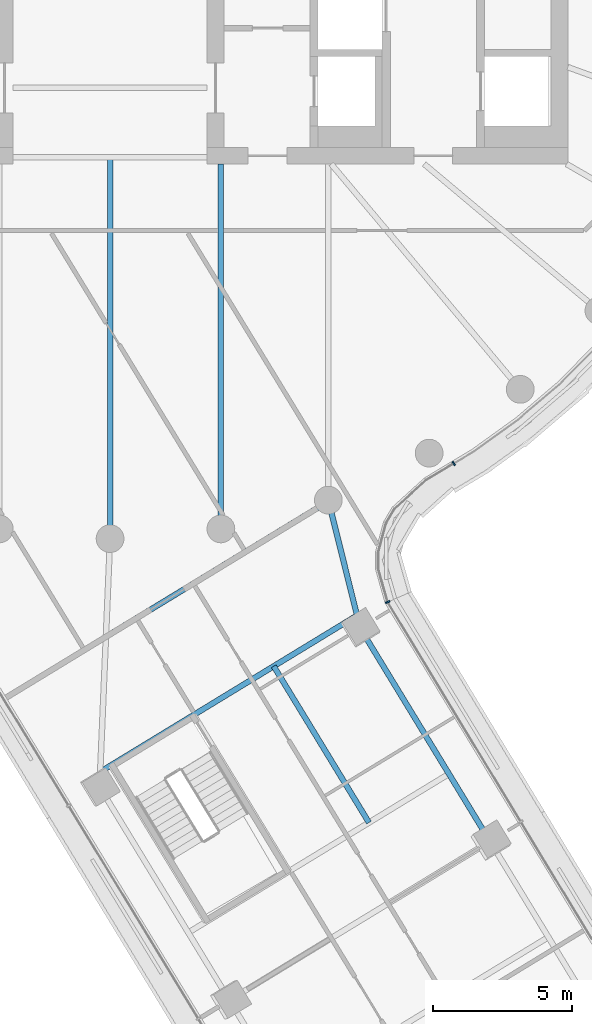
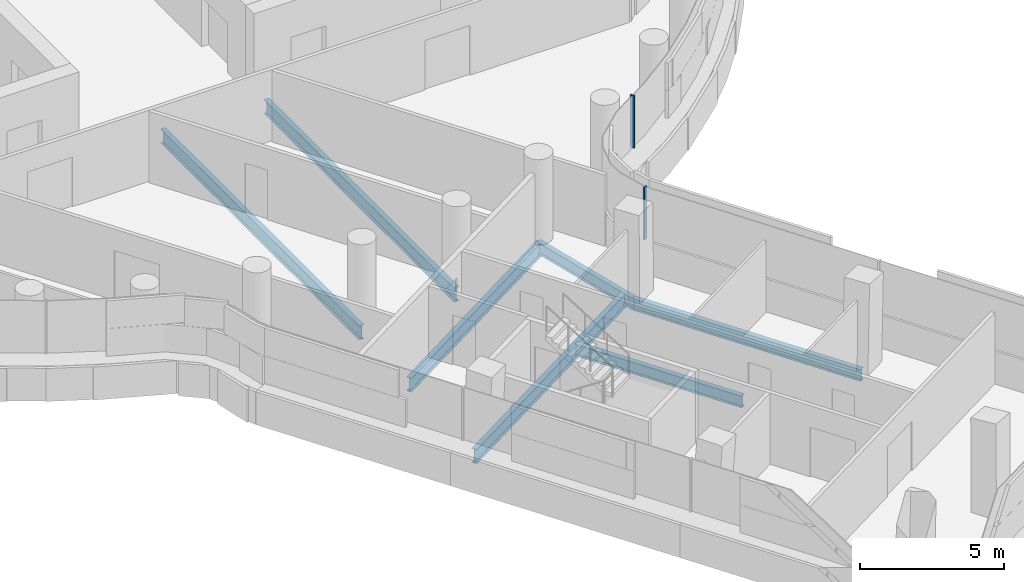
# One storey, part 6 of 35: 7 beams, 2 members, 1 element without a shape of its own.
"""IFC4 building model written with IfcOpenShell, lengths in metres."""

from ifc_helpers import new_model, si_unit, direction, frame, origin, origin_2d, place, context, subcontext, project, spatial, rectangle, i_section, extrude, material, layer, layer_set, material_profile, profile_set, type_object, element, aggregate, save


model = new_model("IFC4")

# Units and contexts
model_context = context("Model", 3, precision=1e-05, world=origin(), true_north=direction((0.0, 1.0)))
body_context = subcontext(model_context, "Body", "Model", "MODEL_VIEW")
ifc_project = project(units=[si_unit("LENGTHUNIT", "METRE"), si_unit("AREAUNIT", "SQUARE_METRE"), si_unit("VOLUMEUNIT", "CUBIC_METRE"), si_unit("PLANEANGLEUNIT", "RADIAN"), si_unit("MASSUNIT", "GRAM", prefix="KILO")], contexts=[model_context])

# Site, building, storey
site_placement = place(None, origin())
site = spatial("IfcSite", under=ifc_project, at=site_placement, CompositionType="ELEMENT")
building_placement = place(site_placement, origin())
building = spatial("IfcBuilding", under=site, at=building_placement, Name="Tamarind Cross Interchange Tower", CompositionType="ELEMENT")
storey_placement = place(building_placement, frame((0.0, 0.0, 148.0)))
storey = spatial("IfcBuildingStorey", under=building, at=storey_placement, Name="L36", CompositionType="ELEMENT", Elevation=148.0)

# Beams
ifc_material_1 = material(Name="Steel Q355B", Category="steel")
ifc_material_profile_1 = material_profile(ifc_material_1, i_section(OverallWidth=0.198974609375, OverallDepth=0.49609375, WebThickness=0.009033203125, FlangeThickness=0.013916015625, FilletRadius=0.012939453125, at=origin_2d()), Name="HN 496x199x9x14")
ifc_profile_set_1 = profile_set([ifc_material_profile_1], Name="Steel Q355B")
beam_type_1 = type_object("IfcBeamType", Name="Composite beam HN 496x199x9x14 Q355B", PredefinedType="BEAM", material=ifc_profile_set_1)
beam_1_placement = place(storey_placement, frame((13.6962890625, -33.914306640625, -0.387939453125), z_axis=(-0.520161215535, 0.854068094389, 0.0), x_axis=(-0.854068094389, -0.520161215535, 0.0)))
element("IfcBeam", 1, at=beam_1_placement, inside=storey, type_object=beam_type_1, Name="Beam S-edgeep3", PredefinedType="BEAM", context=body_context, shape_type="SweptSolid", body=[
    extrude(i_section(OverallWidth=0.198974609375, OverallDepth=0.49609375, WebThickness=0.009033203125, FlangeThickness=0.013916015625, FilletRadius=0.012939453125, at=origin_2d()), origin(), (0.0, 0.0, 1.0), 9.0),
])
beam_2_placement = place(storey_placement, frame((9.014892578125, -26.227783203125, -0.387939453125), z_axis=(-0.241496634913, 0.9704016567, 0.0), x_axis=(-0.9704016567, -0.241496634913, 0.0)))
element("IfcBeam", 2, at=beam_2_placement, inside=storey, type_object=beam_type_1, Name="Beam S-linkep", PredefinedType="BEAM", context=body_context, shape_type="SweptSolid", body=[
    extrude(i_section(OverallWidth=0.198974609375, OverallDepth=0.49609375, WebThickness=0.009033203125, FlangeThickness=0.013916015625, FilletRadius=0.012939453125, at=origin_2d()), origin(), (0.0, 0.0, 1.0), 4.755615234375),
])
beam_3_placement = place(storey_placement, frame((5.898193359375, -27.598876953125, -0.387939453125), z_axis=(0.520158158595, -0.854069956179, 0.0), x_axis=(0.854069956179, 0.520158158595, 0.0)))
element("IfcBeam", 3, at=beam_3_placement, inside=storey, type_object=beam_type_1, Name="Beam S-stripp", PredefinedType="BEAM", context=body_context, shape_type="SweptSolid", body=[
    extrude(i_section(OverallWidth=0.198974609375, OverallDepth=0.49609375, WebThickness=0.009033203125, FlangeThickness=0.013916015625, FilletRadius=0.012939453125, at=origin_2d()), origin(), (0.0, 0.0, 1.0), 6.60009765625),
])
ifc_material_profile_2 = material_profile(ifc_material_1, i_section(OverallWidth=0.198974609375, OverallDepth=0.595947265625, WebThickness=0.010009765625, FlangeThickness=0.014892578125, FilletRadius=0.012939453125, at=origin_2d()), Name="HN 596x199x10x15")
ifc_profile_set_2 = profile_set([ifc_material_profile_2], Name="Steel Q355B")
beam_type_2 = type_object("IfcBeamType", Name="Composite beam HN 596x199x10x15 Q355B", PredefinedType="BEAM", material=ifc_profile_set_2)
beam_4_placement = place(storey_placement, frame((0.0, -23.0, -0.43798828125), z_axis=(0.0, 1.0, 0.0), x_axis=(-1.0, 0.0, 0.0)))
element("IfcBeam", 4, at=beam_4_placement, inside=storey, type_object=beam_type_2, Name="Beam HH27", PredefinedType="BEAM", context=body_context, shape_type="SweptSolid", body=[
    extrude(i_section(OverallWidth=0.198974609375, OverallDepth=0.595947265625, WebThickness=0.010009765625, FlangeThickness=0.014892578125, FilletRadius=0.012939453125, at=origin_2d()), origin(), (0.0, 0.0, 1.0), 13.75),
])
beam_5_placement = place(storey_placement, frame((3.993896484375, -22.650634765625, -0.43798828125), z_axis=(0.0, 1.0, 0.0), x_axis=(-1.0, 0.0, 0.0)))
element("IfcBeam", 5, at=beam_5_placement, inside=storey, type_object=beam_type_2, Name="Beam HH28", PredefinedType="BEAM", context=body_context, shape_type="SweptSolid", body=[
    extrude(i_section(OverallWidth=0.198974609375, OverallDepth=0.595947265625, WebThickness=0.010009765625, FlangeThickness=0.014892578125, FilletRadius=0.012939453125, at=origin_2d()), origin(), (0.0, 0.0, 1.0), 13.150634765625),
])
ifc_material_profile_3 = material_profile(ifc_material_1, i_section(OverallWidth=0.199951171875, OverallDepth=0.60009765625, WebThickness=0.010986328125, FlangeThickness=0.01708984375, FilletRadius=0.012939453125, at=origin_2d()), Name="HN 600x200x11x17")
ifc_profile_set_3 = profile_set([ifc_material_profile_3], Name="Steel Q355B")
beam_type_3 = type_object("IfcBeamType", Name="Composite beam HN 600x200x11x17 Q355B", PredefinedType="BEAM", material=ifc_profile_set_3)
beam_6_placement = place(storey_placement, frame((-0.35693359375, -31.40869140625, -0.43994140625), z_axis=(0.854065876088, 0.520164857812, 0.0), x_axis=(-0.520164857812, 0.854065876088, 0.0)))
element("IfcBeam", 6, at=beam_6_placement, inside=storey, type_object=beam_type_3, Name="Beam S-x298", PredefinedType="BEAM", context=body_context, shape_type="SweptSolid", body=[
    extrude(i_section(OverallWidth=0.199951171875, OverallDepth=0.60009765625, WebThickness=0.010986328125, FlangeThickness=0.01708984375, FilletRadius=0.012939453125, at=origin_2d()), origin(), (0.0, 0.0, 1.0), 10.839599609375),
])
beam_7_placement = place(storey_placement, frame((-0.150390625, -26.540771484375, -0.43994140625), z_axis=(0.854061078112, 0.520172735593, 0.0), x_axis=(-0.520172735593, 0.854061078112, 0.0)))
element("IfcBeam", 7, at=beam_7_placement, inside=storey, type_object=beam_type_3, Name="Beam S-x258", PredefinedType="BEAM", context=body_context, shape_type="SweptSolid", body=[
    extrude(i_section(OverallWidth=0.199951171875, OverallDepth=0.60009765625, WebThickness=0.010986328125, FlangeThickness=0.01708984375, FilletRadius=0.012939453125, at=origin_2d()), origin(), (0.0, 0.0, 1.0), 9.398193359375),
])

# Curtain wall, members
ifc_material_2 = material(Name="Aluminium 6063-T6", Category="aluminium")
ifc_layer = layer(ifc_material_2, 0.159912109375)
ifc_layer_set = layer_set([ifc_layer], Name="Aluminium 6063-T6")
curtain_wall_type = type_object("IfcCurtainWallType", Name="Office curtain wall, 9.0 m bays", PredefinedType="NOTDEFINED", material=ifc_layer_set)
curtain_wall_placement = place(storey_placement, origin())
curtain_wall = element("IfcCurtainWall", 8, at=curtain_wall_placement, inside=storey, type_object=curtain_wall_type, Name="CWS-L36-06", PredefinedType="NOTDEFINED")
ifc_material_profile_4 = material_profile(ifc_material_2, rectangle(XDim=0.06005859375, YDim=0.159912109375, at=origin_2d()), Name="Mullion CW1")
ifc_profile_set_4 = profile_set([ifc_material_profile_4], Name="Aluminium 6063-T6")
member_type = type_object("IfcMemberType", Name="Mullion CW1", PredefinedType="MULLION", material=ifc_profile_set_4)
member_1_placement = place(storey_placement, frame((10.006103515625, -25.286376953125, 1.39990234375), z_axis=(0.0, 0.0, 1.0), x_axis=(-0.399417064435, 0.916769332296, 0.0)))
member_1 = element("IfcMember", 9, at=member_1_placement, type_object=member_type, Name="CWM-L36-06-00", PredefinedType="MULLION", context=body_context, shape_type="SweptSolid", body=[
    extrude(rectangle(XDim=0.06005859375, YDim=0.159912109375, at=origin_2d()), origin(), (0.0, 0.0, 1.0), 2.210205078125),
])
member_2_placement = place(storey_placement, frame((12.38916015625, -20.29296875, 1.39990234375), z_axis=(0.0, 0.0, 1.0), x_axis=(0.856843065292, 0.515577308909, 0.0)))
member_2 = element("IfcMember", 10, at=member_2_placement, type_object=member_type, Name="CWM-L36-06-01", PredefinedType="MULLION", context=body_context, shape_type="SweptSolid", body=[
    extrude(rectangle(XDim=0.06005859375, YDim=0.159912109375, at=origin_2d()), origin(), (0.0, 0.0, 1.0), 2.210205078125),
])
aggregate(curtain_wall, [member_1, member_2])

save(model, "model.ifc")
